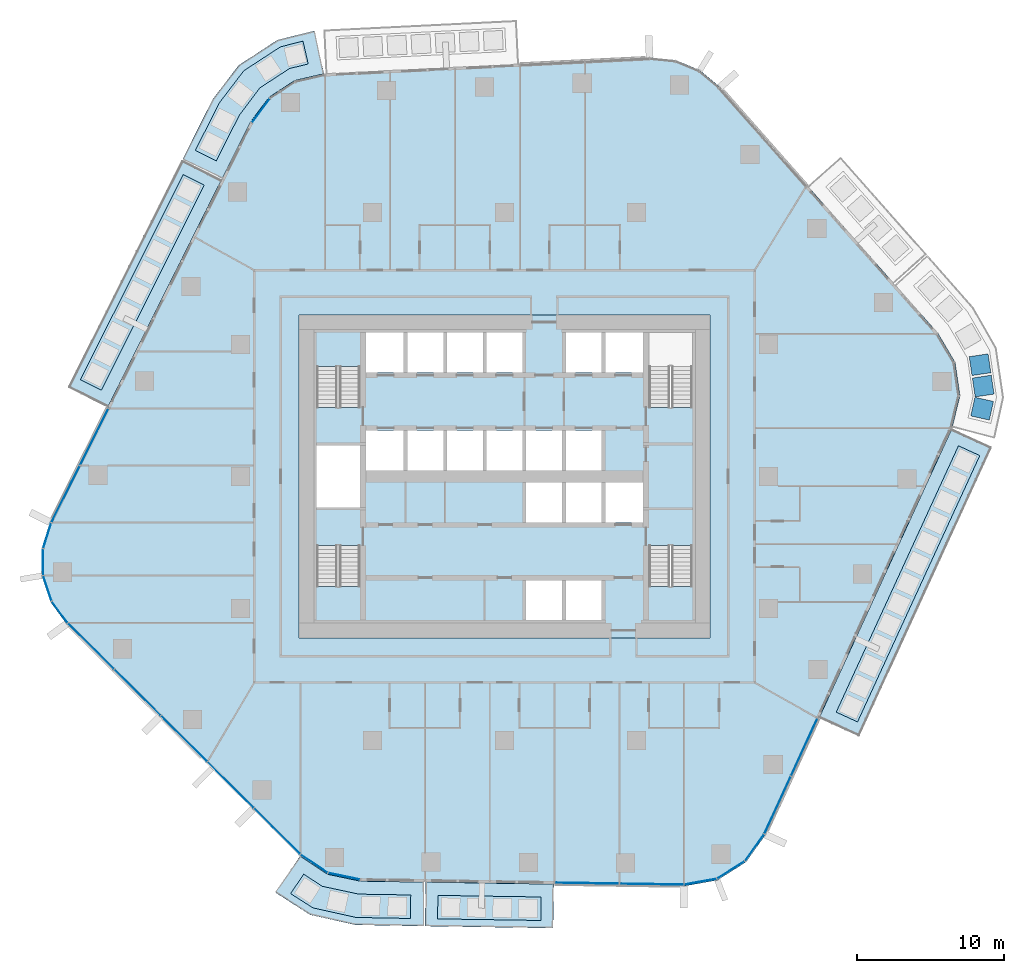
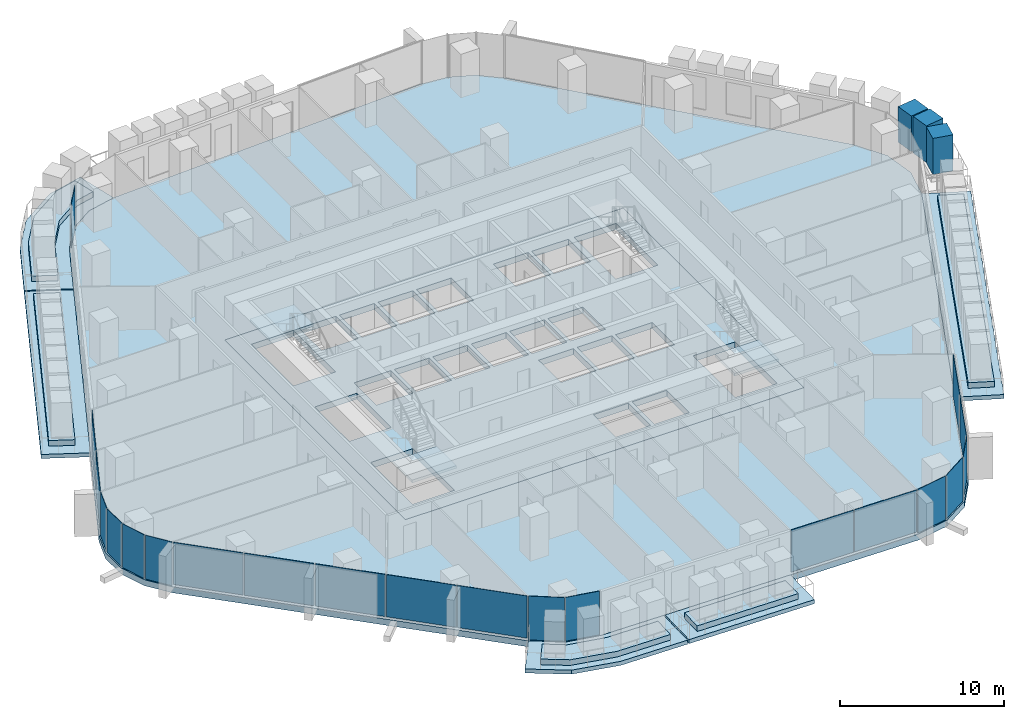
# One storey, part 9 of 24: 21 plates, 15 slabs, 3 members, 11 elements without a shape of their own.
"""IFC4 building model written with IfcOpenShell, lengths in metres."""

from ifc_helpers import new_model, si_unit, direction, frame, origin, origin_2d, place, context, subcontext, project, spatial, polyline, rectangle, outline, extrude, material, layer, layer_set, material_profile, profile_set, type_object, element, aggregate, save


model = new_model("IFC4")

# Units and contexts
model_context = context("Model", 3, precision=1e-05, world=origin(), true_north=direction((0.0, 1.0)))
body_context = subcontext(model_context, "Body", "Model", "MODEL_VIEW")
ifc_project = project(units=[si_unit("LENGTHUNIT", "METRE"), si_unit("AREAUNIT", "SQUARE_METRE"), si_unit("VOLUMEUNIT", "CUBIC_METRE"), si_unit("PLANEANGLEUNIT", "RADIAN"), si_unit("MASSUNIT", "GRAM", prefix="KILO")], contexts=[model_context])

# Site, building, storey
site_placement = place(None, origin())
site = spatial("IfcSite", under=ifc_project, at=site_placement, CompositionType="ELEMENT")
building_placement = place(site_placement, origin())
building = spatial("IfcBuilding", under=site, at=building_placement, Name="Dongbaek Canopy Tower", CompositionType="ELEMENT")
storey_placement = place(building_placement, frame((0.0, 0.0, 98.89990234375)))
storey = spatial("IfcBuildingStorey", under=building, at=storey_placement, Name="L20", CompositionType="ELEMENT", Elevation=98.89990234375)

# Members
ifc_material_1 = material(Name="Concrete C40/50 planter mass with planting", Category="concrete")
ifc_material_profile = material_profile(ifc_material_1, rectangle(XDim=1.300048828125, YDim=1.300048828125, at=origin_2d()), Name="Terrace PLANTER shrub mass 1300 x 1300")
ifc_profile_set = profile_set([ifc_material_profile], Name="Concrete C40/50 planter mass with planting")
member_type = type_object("IfcMemberType", Name="Terrace PLANTER shrub mass 1300 x 1300", PredefinedType="USERDEFINED", material=ifc_profile_set)
member_1_placement = place(storey_placement, frame((32.549072265625, 4.616943359375, 0.420166015625), z_axis=(0.0, 0.0, 1.0), x_axis=(0.976094112802, -0.217348298712, 0.0)))
element("IfcMember", 1, at=member_1_placement, inside=storey, type_object=member_type, Name="Planter shrubs L20 6.1", ObjectType="PLANTER", PredefinedType="USERDEFINED", context=body_context, shape_type="SweptSolid", body=[
    extrude(rectangle(XDim=1.300048828125, YDim=1.300048828125, at=origin_2d()), origin(), (0.0, 0.0, 1.0), 2.68994140625),
])
member_2_placement = place(storey_placement, frame((32.62255859375, 6.158935546875, 0.420166015625), z_axis=(0.0, 0.0, 1.0), x_axis=(0.989189795198, 0.146640884737, 0.0)))
element("IfcMember", 2, at=member_2_placement, inside=storey, type_object=member_type, Name="Planter shrubs L20 6.2", ObjectType="PLANTER", PredefinedType="USERDEFINED", context=body_context, shape_type="SweptSolid", body=[
    extrude(rectangle(XDim=1.300048828125, YDim=1.300048828125, at=origin_2d()), origin(), (0.0, 0.0, 1.0), 2.72998046875),
])
member_3_placement = place(storey_placement, frame((32.406982421875, 7.6142578125, 0.420166015625), z_axis=(0.0, 0.0, 1.0), x_axis=(0.989189795198, 0.146640884737, 0.0)))
element("IfcMember", 3, at=member_3_placement, inside=storey, type_object=member_type, Name="Planter shrubs L20 6.3", ObjectType="PLANTER", PredefinedType="USERDEFINED", context=body_context, shape_type="SweptSolid", body=[
    extrude(rectangle(XDim=1.300048828125, YDim=1.300048828125, at=origin_2d()), origin(), (0.0, 0.0, 1.0), 2.64990234375),
])

# Slabs
ifc_material_2 = material(Name="Concrete C40/50", Category="concrete")
ifc_layer_1 = layer(ifc_material_2, 0.300048828125)
ifc_layer_set_1 = layer_set([ifc_layer_1], Name="Balcony slab 300")
slab_type_1 = type_object("IfcSlabType", Name="Balcony slab 300", PredefinedType="FLOOR", material=ifc_layer_set_1)
slab_1_placement = place(storey_placement, frame((0.0, 0.0, -0.2998046875)))
element("IfcSlab", 4, at=slab_1_placement, inside=storey, type_object=slab_type_1, Name="Balcony L20 3", PredefinedType="FLOOR", context=body_context, shape_type="SweptSolid", body=[
    extrude(outline(polyline([(-19.29296875, 20.208740234375), (-27.054443359375, 4.7177734375), (-29.736572265625, 6.061767578125), (-21.97509765625, 21.552490234375), (-19.29296875, 20.208740234375)])), origin(), (0.0, 0.0, 1.0), 0.2998046875),
])
slab_2_placement = place(storey_placement, frame((0.0, 0.0, -0.2998046875)))
element("IfcSlab", 5, at=slab_2_placement, inside=storey, type_object=slab_type_1, Name="Balcony L20 7", PredefinedType="FLOOR", context=body_context, shape_type="SweptSolid", body=[
    extrude(outline(polyline([(-12.300537109375, 27.442138671875), (-14.301025390625, 26.98291015625), (-16.062255859375, 25.834228515625), (-17.31884765625, 24.1484375), (-19.248046875, 20.298095703125), (-21.93017578125, 21.641845703125), (-19.87255859375, 25.722900390625), (-18.115966796875, 28.02099609375), (-15.474365234375, 29.743896484375), (-12.971923828125, 30.365966796875), (-12.300537109375, 27.442138671875)])), origin(), (0.0, 0.0, 1.0), 0.2998046875),
])
slab_3_placement = place(storey_placement, frame((0.0, 0.0, -0.2998046875)))
element("IfcSlab", 6, at=slab_3_placement, inside=storey, type_object=slab_type_1, Name="Balcony L20 4", PredefinedType="FLOOR", context=body_context, shape_type="SweptSolid", body=[
    extrude(outline(polyline([(-5.375244140625, -27.649658203125), (3.3583984375, -27.7841796875), (3.312255859375, -30.783935546875), (-5.42138671875, -30.649169921875), (-5.375244140625, -27.649658203125)])), origin(), (0.0, 0.0, 1.0), 0.2998046875),
])
slab_4_placement = place(storey_placement, frame((0.0, 0.0, -0.2998046875)))
element("IfcSlab", 7, at=slab_4_placement, inside=storey, type_object=slab_type_1, Name="Balcony L20 8", PredefinedType="FLOOR", context=body_context, shape_type="SweptSolid", body=[
    extrude(outline(polyline([(-13.938720703125, -25.864013671875), (-12.08056640625, -27.110107421875), (-9.842041015625, -27.580810546875), (-5.47509765625, -27.64794921875), (-5.521484375, -30.647705078125), (-10.17529296875, -30.562255859375), (-13.245849609375, -29.87451171875), (-15.609619140625, -28.35546875), (-13.938720703125, -25.864013671875)])), origin(), (0.0, 0.0, 1.0), 0.2998046875),
])
slab_5_placement = place(storey_placement, frame((0.0, 0.0, -0.2998046875)))
element("IfcSlab", 8, at=slab_5_placement, inside=storey, type_object=slab_type_1, Name="Balcony L20 5", PredefinedType="FLOOR", context=body_context, shape_type="SweptSolid", body=[
    extrude(outline(polyline([(21.44091796875, -16.46435546875), (30.480712890625, 3.231689453125), (33.207275390625, 1.980224609375), (24.16748046875, -17.7158203125), (21.44091796875, -16.46435546875)])), origin(), (0.0, 0.0, 1.0), 0.2998046875),
])

# Curtain wall, plate
ifc_material_3 = material(Name="Aluminium 6063-T6 pale anodised", Category="aluminium")
ifc_layer_2 = layer(ifc_material_3, 0.199951171875)
ifc_layer_set_2 = layer_set([ifc_layer_2], Name="CW-1 unitised tower curtain wall")
curtain_wall_type = type_object("IfcCurtainWallType", Name="CW-1 unitised tower curtain wall", PredefinedType="NOTDEFINED", material=ifc_layer_set_2)
curtain_wall_1_placement = place(storey_placement, origin())
curtain_wall_1 = element("IfcCurtainWall", 9, at=curtain_wall_1_placement, inside=storey, type_object=curtain_wall_type, Name="CW-1 curtain wall K2.1b", PredefinedType="NOTDEFINED")
ifc_material_4 = material(Name="Clear laminated glass", Category="glass")
ifc_layer_3 = layer(ifc_material_4, 0.028076171875)
ifc_layer_set_3 = layer_set([ifc_layer_3], Name="CW-1 glazed panel 28")
plate_type = type_object("IfcPlateType", Name="CW-1 glazed panel 28", PredefinedType="CURTAIN_PANEL", material=ifc_layer_set_3)
plate_1_placement = place(storey_placement, frame((-16.613037109375, 24.927978515625, 0.0), z_axis=(0.0, 0.0, 1.0), x_axis=(-0.597679920267, -0.80173481458, 0.0)))
plate_1 = element("IfcPlate", 10, at=plate_1_placement, type_object=plate_type, Name="CW-1 panel K2.1b.2.1", PredefinedType="CURTAIN_PANEL", context=body_context, shape_type="SweptSolid", body=[
    extrude(rectangle(XDim=1.991943359375, YDim=0.028076171875, at=origin_2d()), origin(), (0.0, 0.0, 1.0), 3.25),
])
aggregate(curtain_wall_1, [plate_1])

# Curtain wall, plates
curtain_wall_2_placement = place(storey_placement, origin())
curtain_wall_2 = element("IfcCurtainWall", 11, at=curtain_wall_2_placement, inside=storey, type_object=curtain_wall_type, Name="CW-1 curtain wall F2.1", PredefinedType="NOTDEFINED")
plate_2_placement = place(storey_placement, frame((-27.963134765625, 2.6806640625, 0.1201171875), z_axis=(0.0, 0.0, 1.0), x_axis=(-0.447955625381, -0.894055791151, 0.0)))
plate_2 = element("IfcPlate", 12, at=plate_2_placement, type_object=plate_type, Name="CW-1 panel F2.1.1.1", PredefinedType="CURTAIN_PANEL", context=body_context, shape_type="SweptSolid", body=[
    extrude(rectangle(XDim=4.272705078125, YDim=0.028076171875, at=origin_2d()), origin(), (0.0, 0.0, 1.0), 3.1298828125),
])
plate_3_placement = place(storey_placement, frame((-29.9130859375, -1.210693359375, 0.1201171875), z_axis=(0.0, 0.0, 1.0), x_axis=(-0.447955625381, -0.894055791151, 0.0)))
plate_3 = element("IfcPlate", 13, at=plate_3_placement, type_object=plate_type, Name="CW-1 panel F2.1.2.1", PredefinedType="CURTAIN_PANEL", context=body_context, shape_type="SweptSolid", body=[
    extrude(rectangle(XDim=4.264892578125, YDim=0.028076171875, at=origin_2d()), origin(), (0.0, 0.0, 1.0), 3.1298828125),
])
aggregate(curtain_wall_2, [plate_2, plate_3])

curtain_wall_3_placement = place(storey_placement, origin())
curtain_wall_3 = element("IfcCurtainWall", 14, at=curtain_wall_3_placement, inside=storey, type_object=curtain_wall_type, Name="CW-1 curtain wall K3.1", PredefinedType="NOTDEFINED")
plate_4_placement = place(storey_placement, frame((-31.1669921875, -4.03515625, 0.0), z_axis=(0.0, 0.0, 1.0), x_axis=(-0.303048141579, -0.952975248307, 0.0)))
plate_4 = element("IfcPlate", 15, at=plate_4_placement, type_object=plate_type, Name="CW-1 panel K3.1.1.1", PredefinedType="CURTAIN_PANEL", context=body_context, shape_type="SweptSolid", body=[
    extrude(rectangle(XDim=1.763671875, YDim=0.028076171875, at=origin_2d()), origin(), (0.0, 0.0, 1.0), 3.25),
])
plate_5_placement = place(storey_placement, frame((-31.442138671875, -5.83544921875, 0.0), z_axis=(0.0, 0.0, 1.0), x_axis=(0.005286005708, -0.999986028974, 0.0)))
plate_5 = element("IfcPlate", 16, at=plate_5_placement, type_object=plate_type, Name="CW-1 panel K3.1.2.1", PredefinedType="CURTAIN_PANEL", context=body_context, shape_type="SweptSolid", body=[
    extrude(rectangle(XDim=1.755859375, YDim=0.028076171875, at=origin_2d()), origin(), (0.0, 0.0, 1.0), 3.25),
])
plate_6_placement = place(storey_placement, frame((-31.149169921875, -7.629150390625, 0.0), z_axis=(0.0, 0.0, 1.0), x_axis=(0.313105930571, -0.94971820886, 0.0)))
plate_6 = element("IfcPlate", 17, at=plate_6_placement, type_object=plate_type, Name="CW-1 panel K3.1.3.1", PredefinedType="CURTAIN_PANEL", context=body_context, shape_type="SweptSolid", body=[
    extrude(rectangle(XDim=1.755859375, YDim=0.028076171875, at=origin_2d()), origin(), (0.0, 0.0, 1.0), 3.25),
])
plate_7_placement = place(storey_placement, frame((-30.315673828125, -9.248291015625, 0.0), z_axis=(0.0, 0.0, 1.0), x_axis=(0.59046692307, -0.80706183949, 0.0)))
plate_7 = element("IfcPlate", 18, at=plate_7_placement, type_object=plate_type, Name="CW-1 panel K3.1.4.1", PredefinedType="CURTAIN_PANEL", context=body_context, shape_type="SweptSolid", body=[
    extrude(rectangle(XDim=1.763671875, YDim=0.028076171875, at=origin_2d()), origin(), (0.0, 0.0, 1.0), 3.25),
])
aggregate(curtain_wall_3, [plate_4, plate_5, plate_6, plate_7])

curtain_wall_4_placement = place(storey_placement, origin())
curtain_wall_4 = element("IfcCurtainWall", 19, at=curtain_wall_4_placement, inside=storey, type_object=curtain_wall_type, Name="CW-1 curtain wall F3.1", PredefinedType="NOTDEFINED")
plate_8_placement = place(storey_placement, frame((-28.186279296875, -11.56884765625, 0.1201171875), z_axis=(0.0, 0.0, 1.0), x_axis=(0.709102880768, -0.705105030819, 0.0)))
plate_8 = element("IfcPlate", 20, at=plate_8_placement, type_object=plate_type, Name="CW-1 panel F3.1.1.1", PredefinedType="CURTAIN_PANEL", context=body_context, shape_type="SweptSolid", body=[
    extrude(rectangle(XDim=4.383056640625, YDim=0.028076171875, at=origin_2d()), origin(), (0.0, 0.0, 1.0), 3.1298828125),
])
plate_9_placement = place(storey_placement, frame((-25.015869140625, -14.721435546875, 0.1201171875), z_axis=(0.0, 0.0, 1.0), x_axis=(0.709102880768, -0.705105030819, 0.0)))
plate_9 = element("IfcPlate", 21, at=plate_9_placement, type_object=plate_type, Name="CW-1 panel F3.1.2.1", PredefinedType="CURTAIN_PANEL", context=body_context, shape_type="SweptSolid", body=[
    extrude(rectangle(XDim=4.390869140625, YDim=0.028076171875, at=origin_2d()), origin(), (0.0, 0.0, 1.0), 3.1298828125),
])
plate_10_placement = place(storey_placement, frame((-21.8427734375, -17.876708984375, 0.1201171875), z_axis=(0.0, 0.0, 1.0), x_axis=(0.709102880768, -0.705105030819, 0.0)))
plate_10 = element("IfcPlate", 22, at=plate_10_placement, type_object=plate_type, Name="CW-1 panel F3.1.3.1", PredefinedType="CURTAIN_PANEL", context=body_context, shape_type="SweptSolid", body=[
    extrude(rectangle(XDim=4.390869140625, YDim=0.028076171875, at=origin_2d()), origin(), (0.0, 0.0, 1.0), 3.1298828125),
])
plate_11_placement = place(storey_placement, frame((-18.66943359375, -21.0322265625, 0.1201171875), z_axis=(0.0, 0.0, 1.0), x_axis=(0.709102880768, -0.705105030819, 0.0)))
plate_11 = element("IfcPlate", 23, at=plate_11_placement, type_object=plate_type, Name="CW-1 panel F3.1.4.1", PredefinedType="CURTAIN_PANEL", context=body_context, shape_type="SweptSolid", body=[
    extrude(rectangle(XDim=4.390869140625, YDim=0.028076171875, at=origin_2d()), origin(), (0.0, 0.0, 1.0), 3.1298828125),
])
plate_12_placement = place(storey_placement, frame((-15.499755859375, -24.18408203125, 0.1201171875), z_axis=(0.0, 0.0, 1.0), x_axis=(0.709102880768, -0.705105030819, 0.0)))
plate_12 = element("IfcPlate", 24, at=plate_12_placement, type_object=plate_type, Name="CW-1 panel F3.1.5.1", PredefinedType="CURTAIN_PANEL", context=body_context, shape_type="SweptSolid", body=[
    extrude(rectangle(XDim=4.38134765625, YDim=0.028076171875, at=origin_2d()), origin(), (0.0, 0.0, 1.0), 3.1298828125),
])
aggregate(curtain_wall_4, [plate_8, plate_9, plate_10, plate_11, plate_12])

curtain_wall_5_placement = place(storey_placement, origin())
curtain_wall_5 = element("IfcCurtainWall", 25, at=curtain_wall_5_placement, inside=storey, type_object=curtain_wall_type, Name="CW-1 curtain wall K4.1", PredefinedType="NOTDEFINED")
plate_13_placement = place(storey_placement, frame((-12.978759765625, -26.38720703125, 0.0), z_axis=(0.0, 0.0, 1.0), x_axis=(0.830505455557, -0.557010492083, 0.0)))
plate_13 = element("IfcPlate", 26, at=plate_13_placement, type_object=plate_type, Name="CW-1 panel K4.1.1.1", PredefinedType="CURTAIN_PANEL", context=body_context, shape_type="SweptSolid", body=[
    extrude(rectangle(XDim=2.17431640625, YDim=0.028076171875, at=origin_2d()), origin(), (0.0, 0.0, 1.0), 3.25),
])
plate_14_placement = place(storey_placement, frame((-10.935791015625, -27.24853515625, 0.0), z_axis=(0.0, 0.0, 1.0), x_axis=(0.978610165057, -0.205723466931, 0.0)))
plate_14 = element("IfcPlate", 27, at=plate_14_placement, type_object=plate_type, Name="CW-1 panel K4.1.2.1", PredefinedType="CURTAIN_PANEL", context=body_context, shape_type="SweptSolid", body=[
    extrude(rectangle(XDim=2.17431640625, YDim=0.028076171875, at=origin_2d()), origin(), (0.0, 0.0, 1.0), 3.25),
])
aggregate(curtain_wall_5, [plate_13, plate_14])

curtain_wall_6_placement = place(storey_placement, origin())
curtain_wall_6 = element("IfcCurtainWall", 28, at=curtain_wall_6_placement, inside=storey, type_object=curtain_wall_type, Name="CW-1 curtain wall F4.1", PredefinedType="NOTDEFINED")
plate_15_placement = place(storey_placement, frame((5.618408203125, -27.718994140625, 0.1201171875), z_axis=(0.0, 0.0, 1.0), x_axis=(0.999881214531, -0.015412878639, 0.0)))
plate_15 = element("IfcPlate", 29, at=plate_15_placement, type_object=plate_type, Name="CW-1 panel F4.1.1.1", PredefinedType="CURTAIN_PANEL", context=body_context, shape_type="SweptSolid", body=[
    extrude(rectangle(XDim=4.333251953125, YDim=0.028076171875, at=origin_2d()), origin(), (0.0, 0.0, 1.0), 3.1298828125),
])
plate_16_placement = place(storey_placement, frame((10.0302734375, -27.787109375, 0.1201171875), z_axis=(0.0, 0.0, 1.0), x_axis=(0.999881214531, -0.015412878639, 0.0)))
plate_16 = element("IfcPlate", 30, at=plate_16_placement, type_object=plate_type, Name="CW-1 panel F4.1.2.1", PredefinedType="CURTAIN_PANEL", context=body_context, shape_type="SweptSolid", body=[
    extrude(rectangle(XDim=4.32373046875, YDim=0.028076171875, at=origin_2d()), origin(), (0.0, 0.0, 1.0), 3.1298828125),
])
aggregate(curtain_wall_6, [plate_15, plate_16])

curtain_wall_7_placement = place(storey_placement, origin())
curtain_wall_7 = element("IfcCurtainWall", 31, at=curtain_wall_7_placement, inside=storey, type_object=curtain_wall_type, Name="CW-1 curtain wall K5.1", PredefinedType="NOTDEFINED")
plate_17_placement = place(storey_placement, frame((13.350341796875, -27.62109375, 0.0), z_axis=(0.0, 0.0, 1.0), x_axis=(0.984333827458, 0.176314821048, 0.0)))
plate_17 = element("IfcPlate", 32, at=plate_17_placement, type_object=plate_type, Name="CW-1 panel K5.1.1.1", PredefinedType="CURTAIN_PANEL", context=body_context, shape_type="SweptSolid", body=[
    extrude(rectangle(XDim=2.184326171875, YDim=0.028076171875, at=origin_2d()), origin(), (0.0, 0.0, 1.0), 3.25),
])
plate_18_placement = place(storey_placement, frame((15.422119140625, -26.81884765625, 0.0), z_axis=(0.0, 0.0, 1.0), x_axis=(0.845897275407, 0.533345853512, 0.0)))
plate_18 = element("IfcPlate", 33, at=plate_18_placement, type_object=plate_type, Name="CW-1 panel K5.1.2.1", PredefinedType="CURTAIN_PANEL", context=body_context, shape_type="SweptSolid", body=[
    extrude(rectangle(XDim=2.174560546875, YDim=0.028076171875, at=origin_2d()), origin(), (0.0, 0.0, 1.0), 3.25),
])
plate_19_placement = place(storey_placement, frame((17.0390625, -25.295166015625, 0.0), z_axis=(0.0, 0.0, 1.0), x_axis=(0.583421868273, 0.812169270301, 0.0)))
plate_19 = element("IfcPlate", 34, at=plate_19_placement, type_object=plate_type, Name="CW-1 panel K5.1.3.1", PredefinedType="CURTAIN_PANEL", context=body_context, shape_type="SweptSolid", body=[
    extrude(rectangle(XDim=2.184326171875, YDim=0.028076171875, at=origin_2d()), origin(), (0.0, 0.0, 1.0), 3.25),
])
aggregate(curtain_wall_7, [plate_17, plate_18, plate_19])

curtain_wall_8_placement = place(storey_placement, origin())
curtain_wall_8 = element("IfcCurtainWall", 35, at=curtain_wall_8_placement, inside=storey, type_object=curtain_wall_type, Name="CW-1 curtain wall F5.1", PredefinedType="NOTDEFINED")
plate_20_placement = place(storey_placement, frame((18.60693359375, -22.39990234375, 0.1201171875), z_axis=(0.0, 0.0, 1.0), x_axis=(0.417125975185, 0.908848678728, 0.0)))
plate_20 = element("IfcPlate", 36, at=plate_20_placement, type_object=plate_type, Name="CW-1 panel F5.1.1.1", PredefinedType="CURTAIN_PANEL", context=body_context, shape_type="SweptSolid", body=[
    extrude(rectangle(XDim=4.260498046875, YDim=0.028076171875, at=origin_2d()), origin(), (0.0, 0.0, 1.0), 3.1298828125),
])
plate_21_placement = place(storey_placement, frame((20.421142578125, -18.44677734375, 0.1201171875), z_axis=(0.0, 0.0, 1.0), x_axis=(0.417125975185, 0.908848678728, 0.0)))
plate_21 = element("IfcPlate", 37, at=plate_21_placement, type_object=plate_type, Name="CW-1 panel F5.1.2.1", PredefinedType="CURTAIN_PANEL", context=body_context, shape_type="SweptSolid", body=[
    extrude(rectangle(XDim=4.270263671875, YDim=0.028076171875, at=origin_2d()), origin(), (0.0, 0.0, 1.0), 3.1298828125),
])
aggregate(curtain_wall_8, [plate_20, plate_21])

# Slab
ifc_material_5 = material(Name="Concrete C40/50", Category="concrete")
ifc_layer_4 = layer(ifc_material_5, 0.449951171875)
ifc_layer_set_4 = layer_set([ifc_layer_4], Name="Core floor slab 450 Concrete C40/50")
slab_type_2 = type_object("IfcSlabType", Name="Core floor slab 450 Concrete C40/50", PredefinedType="FLOOR", material=ifc_layer_set_4)
slab_6_placement = place(storey_placement, frame((0.0, 0.0, -0.449951171875)))
element("IfcSlab", 38, at=slab_6_placement, inside=storey, type_object=slab_type_2, Name="Core floor slab L20", PredefinedType="FLOOR", context=body_context, shape_type="SweptSolid", body=[
    extrude(outline(polyline([(14.0, -11.0), (14.0, 11.0), (-14.0, 11.0), (-14.0, -11.0), (14.0, -11.0)]), holes=[polyline([(-12.800048828125, 2.10009765625), (-9.85009765625, 2.10009765625), (-9.85009765625, -2.10009765625), (-12.800048828125, -2.10009765625), (-12.800048828125, 2.10009765625)]), polyline([(-6.875, 9.800048828125), (-6.875, 7.074951171875), (-9.449951171875, 7.074951171875), (-9.449951171875, 9.800048828125), (-6.875, 9.800048828125)]), polyline([(-4.175048828125, 9.800048828125), (-4.175048828125, 7.074951171875), (-6.625, 7.074951171875), (-6.625, 9.800048828125), (-4.175048828125, 9.800048828125)]), polyline([(-1.47509765625, 9.800048828125), (-1.47509765625, 7.074951171875), (-3.925048828125, 7.074951171875), (-3.925048828125, 9.800048828125), (-1.47509765625, 9.800048828125)]), polyline([(1.22509765625, 9.800048828125), (1.22509765625, 7.074951171875), (-1.22509765625, 7.074951171875), (-1.22509765625, 9.800048828125), (1.22509765625, 9.800048828125)]), polyline([(6.625, 9.800048828125), (6.625, 7.074951171875), (4.175048828125, 7.074951171875), (4.175048828125, 9.800048828125), (6.625, 9.800048828125)]), polyline([(9.449951171875, 7.074951171875), (6.875, 7.074951171875), (6.875, 9.800048828125), (9.449951171875, 9.800048828125), (9.449951171875, 7.074951171875)]), polyline([(-9.449951171875, 3.125), (-6.875, 3.125), (-6.875, 0.39990234375), (-9.449951171875, 0.39990234375), (-9.449951171875, 3.125)]), polyline([(-6.625, 3.125), (-4.175048828125, 3.125), (-4.175048828125, 0.39990234375), (-6.625, 0.39990234375), (-6.625, 3.125)]), polyline([(-3.925048828125, 3.125), (-1.47509765625, 3.125), (-1.47509765625, 0.39990234375), (-3.925048828125, 0.39990234375), (-3.925048828125, 3.125)]), polyline([(-1.22509765625, 0.39990234375), (-1.22509765625, 3.125), (1.22509765625, 3.125), (1.22509765625, 0.39990234375), (-1.22509765625, 0.39990234375)]), polyline([(1.47509765625, 0.39990234375), (1.47509765625, 3.125), (3.925048828125, 3.125), (3.925048828125, 0.39990234375), (1.47509765625, 0.39990234375)]), polyline([(4.175048828125, 0.39990234375), (4.175048828125, 3.125), (6.625, 3.125), (6.625, 0.39990234375), (4.175048828125, 0.39990234375)]), polyline([(1.47509765625, -0.39990234375), (3.925048828125, -0.39990234375), (3.925048828125, -3.125), (1.47509765625, -3.125), (1.47509765625, -0.39990234375)]), polyline([(6.625, -0.39990234375), (6.625, -3.125), (4.175048828125, -3.125), (4.175048828125, -0.39990234375), (6.625, -0.39990234375)]), polyline([(9.449951171875, -3.125), (6.875, -3.125), (6.875, -0.39990234375), (9.449951171875, -0.39990234375), (9.449951171875, -3.125)]), polyline([(1.47509765625, -9.800048828125), (1.47509765625, -7.074951171875), (3.925048828125, -7.074951171875), (3.925048828125, -9.800048828125), (1.47509765625, -9.800048828125)]), polyline([(4.175048828125, -9.800048828125), (4.175048828125, -7.074951171875), (6.625, -7.074951171875), (6.625, -9.800048828125), (4.175048828125, -9.800048828125)]), polyline([(12.800048828125, 4.70068359375), (12.800048828125, 9.800048828125), (9.85009765625, 9.800048828125), (9.85009765625, 4.70068359375), (12.800048828125, 4.70068359375)]), polyline([(-9.85009765625, 4.70068359375), (-9.85009765625, 9.800048828125), (-12.800048828125, 9.800048828125), (-12.800048828125, 4.70068359375), (-9.85009765625, 4.70068359375)]), polyline([(9.85009765625, -4.70068359375), (9.85009765625, -9.800048828125), (12.800048828125, -9.800048828125), (12.800048828125, -4.70068359375), (9.85009765625, -4.70068359375)]), polyline([(-12.800048828125, -4.70068359375), (-12.800048828125, -9.800048828125), (-9.85009765625, -9.800048828125), (-9.85009765625, -4.70068359375), (-12.800048828125, -4.70068359375)])]), origin(), (0.0, 0.0, 1.0), 0.449951171875),
])

# Stair, slab
ifc_material_6 = material(Name="Concrete C40/50", Category="concrete")
stair_type = type_object("IfcStairType", Name="Core exit stair", PredefinedType="HALF_TURN_STAIR", material=ifc_material_6)
stair_1_placement = place(storey_placement, origin())
stair_1 = element("IfcStair", 39, at=stair_1_placement, inside=storey, type_object=stair_type, Name="L20 exit stair C", PredefinedType="HALF_TURN_STAIR")
ifc_material_7 = material(Name="Concrete C40/50", Category="concrete")
ifc_layer_5 = layer(ifc_material_7, 0.199951171875)
ifc_layer_set_5 = layer_set([ifc_layer_5], Name="Core stair landing 200")
slab_type_3 = type_object("IfcSlabType", Name="Core stair landing 200", PredefinedType="LANDING", material=ifc_layer_set_5)
slab_7_placement = place(storey_placement, frame((0.0, 0.0, 1.650146484375)))
slab_7 = element("IfcSlab", 40, at=slab_7_placement, type_object=slab_type_3, Name="ST-C landing 1", PredefinedType="LANDING", context=body_context, shape_type="SweptSolid", body=[
    extrude(outline(polyline([(-9.77490234375, 7.5), (-9.77490234375, 9.875), (-12.875, 9.875), (-12.875, 7.5), (-9.77490234375, 7.5)])), origin(), (0.0, 0.0, 1.0), 0.199951171875),
])
aggregate(stair_1, [slab_7])

stair_2_placement = place(storey_placement, origin())
stair_2 = element("IfcStair", 41, at=stair_2_placement, inside=storey, type_object=stair_type, Name="L20 exit stair B", PredefinedType="HALF_TURN_STAIR")
slab_8_placement = place(storey_placement, frame((0.0, 0.0, 1.650146484375)))
slab_8 = element("IfcSlab", 42, at=slab_8_placement, type_object=slab_type_3, Name="ST-B landing 1", PredefinedType="LANDING", context=body_context, shape_type="SweptSolid", body=[
    extrude(outline(polyline([(9.77490234375, -7.5), (9.77490234375, -9.875), (12.875, -9.875), (12.875, -7.5), (9.77490234375, -7.5)])), origin(), (0.0, 0.0, 1.0), 0.199951171875),
])
aggregate(stair_2, [slab_8])

stair_3_placement = place(storey_placement, origin())
stair_3 = element("IfcStair", 43, at=stair_3_placement, inside=storey, type_object=stair_type, Name="L20 exit stair D", PredefinedType="HALF_TURN_STAIR")
slab_9_placement = place(storey_placement, frame((0.0, 0.0, 1.650146484375)))
slab_9 = element("IfcSlab", 44, at=slab_9_placement, type_object=slab_type_3, Name="ST-D landing 1", PredefinedType="LANDING", context=body_context, shape_type="SweptSolid", body=[
    extrude(outline(polyline([(-12.875, -7.5), (-12.875, -9.875), (-9.77490234375, -9.875), (-9.77490234375, -7.5), (-12.875, -7.5)])), origin(), (0.0, 0.0, 1.0), 0.199951171875),
])
aggregate(stair_3, [slab_9])

# Slabs
ifc_material_8 = material(Name="Concrete C40", Category="concrete")
ifc_layer_6 = layer(ifc_material_8, 0.449951171875)
ifc_layer_set_6 = layer_set([ifc_layer_6], Name="RC FLAT PLATE 450 Concrete C40")
slab_type_4 = type_object("IfcSlabType", Name="RC FLAT PLATE 450 Concrete C40", PredefinedType="FLOOR", material=ifc_layer_set_6)
slab_10_placement = place(storey_placement, frame((0.0, 0.0, -0.449951171875)))
element("IfcSlab", 45, at=slab_10_placement, inside=storey, type_object=slab_type_4, Name="SLAB:L20", PredefinedType="FLOOR", context=body_context, shape_type="SweptSolid", body=[
    extrude(outline(polyline([(17.78759765625, -24.424560546875), (16.447021484375, -26.29052734375), (14.503662109375, -27.51611328125), (12.241943359375, -27.921142578125), (-9.842041015625, -27.580810546875), (-12.080322265625, -27.110107421875), (-13.97998046875, -25.8359375), (-29.84619140625, -10.059326171875), (-30.951171875, -8.549072265625), (-31.537109375, -6.771728515625), (-31.547119140625, -4.900390625), (-30.97998046875, -3.116943359375), (-17.31884765625, 24.1484375), (-16.062255859375, 25.833984375), (-14.301025390625, 26.98291015625), (-12.251708984375, 27.453369140625), (9.896728515625, 28.5517578125), (11.672607421875, 28.3740234375), (13.317626953125, 27.681884765625), (14.686279296875, 26.536376953125), (29.541015625, 9.7568359375), (30.70556640625, 7.77880859375), (31.042236328125, 5.508056640625), (30.50146484375, 3.277099609375), (17.78759765625, -24.424560546875)]), holes=[polyline([(14.0, 11.0), (-14.0, 11.0), (-14.0, -11.0), (14.0, -11.0), (14.0, 11.0)])]), origin(), (0.0, 0.0, 1.0), 0.449951171875),
])
ifc_material_9 = material(Name="Reinforced concrete C40/50 planter box with soil", Category="concrete")
ifc_layer_7 = layer(ifc_material_9, 0.419921875)
ifc_layer_set_7 = layer_set([ifc_layer_7], Name="Terrace planter box 1600 x 420")
slab_type_5 = type_object("IfcSlabType", Name="Terrace planter box 1600 x 420", PredefinedType="USERDEFINED", material=ifc_layer_set_7)
slab_11_placement = place(storey_placement, origin())
element("IfcSlab", 46, at=slab_11_placement, inside=storey, type_object=slab_type_5, Name="Balcony planter L20 3", ObjectType="PLANTER", PredefinedType="USERDEFINED", context=body_context, shape_type="SweptSolid", body=[
    extrude(outline(polyline([(-20.469482421875, 19.847412109375), (-27.469482421875, 5.87646484375), (-28.89990234375, 6.59326171875), (-21.89990234375, 20.564208984375), (-20.469482421875, 19.847412109375)])), origin(), (0.0, 0.0, 1.0), 0.420166015625),
])
slab_12_placement = place(storey_placement, origin())
element("IfcSlab", 47, at=slab_12_placement, inside=storey, type_object=slab_type_5, Name="Balcony planter L20 7", ObjectType="PLANTER", PredefinedType="USERDEFINED", context=body_context, shape_type="SweptSolid", body=[
    extrude(outline(polyline([(-13.376953125, 28.108154296875), (-14.649169921875, 27.802001953125), (-16.671630859375, 26.48291015625), (-18.076416015625, 24.615478515625), (-19.640625, 21.50146484375), (-21.071044921875, 22.218017578125), (-19.4384765625, 25.455322265625), (-17.766845703125, 27.649169921875), (-15.27490234375, 29.2744140625), (-13.73486328125, 29.66748046875), (-13.376953125, 28.108154296875)])), origin(), (0.0, 0.0, 1.0), 0.420166015625),
])
slab_13_placement = place(storey_placement, origin())
element("IfcSlab", 48, at=slab_13_placement, inside=storey, type_object=slab_type_5, Name="Balcony planter L20 4", ObjectType="PLANTER", PredefinedType="USERDEFINED", context=body_context, shape_type="SweptSolid", body=[
    extrude(outline(polyline([(-4.5390625, -28.552490234375), (2.494873046875, -28.660888671875), (2.47021484375, -30.2607421875), (-4.563720703125, -30.15234375), (-4.5390625, -28.552490234375)])), origin(), (0.0, 0.0, 1.0), 0.420166015625),
])
slab_14_placement = place(storey_placement, origin())
element("IfcSlab", 49, at=slab_14_placement, inside=storey, type_object=slab_type_5, Name="Balcony planter L20 8", ObjectType="PLANTER", PredefinedType="USERDEFINED", context=body_context, shape_type="SweptSolid", body=[
    extrude(outline(polyline([(-13.68701171875, -27.104248046875), (-12.42626953125, -27.93017578125), (-9.94091796875, -28.465087890625), (-6.388916015625, -28.524169921875), (-6.41357421875, -30.123779296875), (-10.11865234375, -30.055419921875), (-13.0478515625, -29.404541015625), (-14.578125, -28.43310546875), (-13.68701171875, -27.104248046875)])), origin(), (0.0, 0.0, 1.0), 0.420166015625),
])
slab_15_placement = place(storey_placement, origin())
element("IfcSlab", 50, at=slab_15_placement, inside=storey, type_object=slab_type_5, Name="Balcony planter L20 5", ObjectType="PLANTER", PredefinedType="USERDEFINED", context=body_context, shape_type="SweptSolid", body=[
    extrude(outline(polyline([(22.6044921875, -16.063232421875), (30.93505859375, 2.087890625), (32.38916015625, 1.42041015625), (24.05859375, -16.73046875), (22.6044921875, -16.063232421875)])), origin(), (0.0, 0.0, 1.0), 0.420166015625),
])

save(model, "model.ifc")
